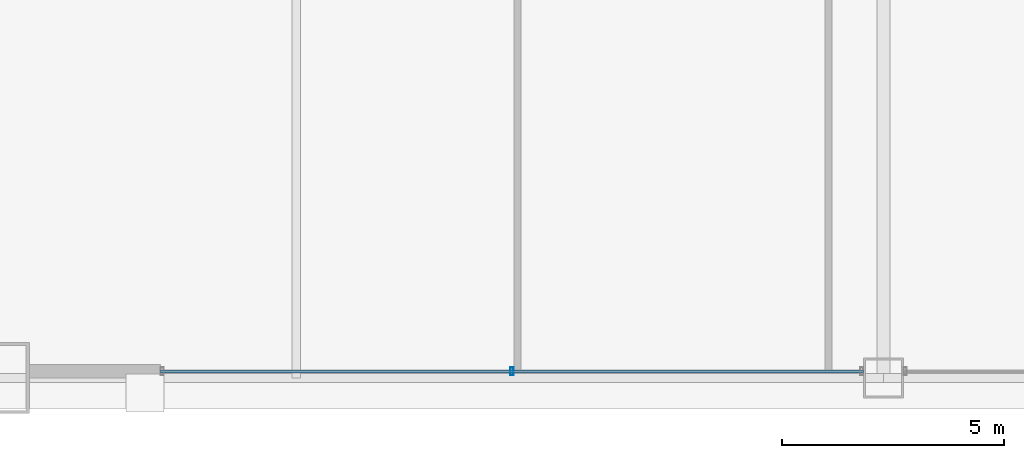
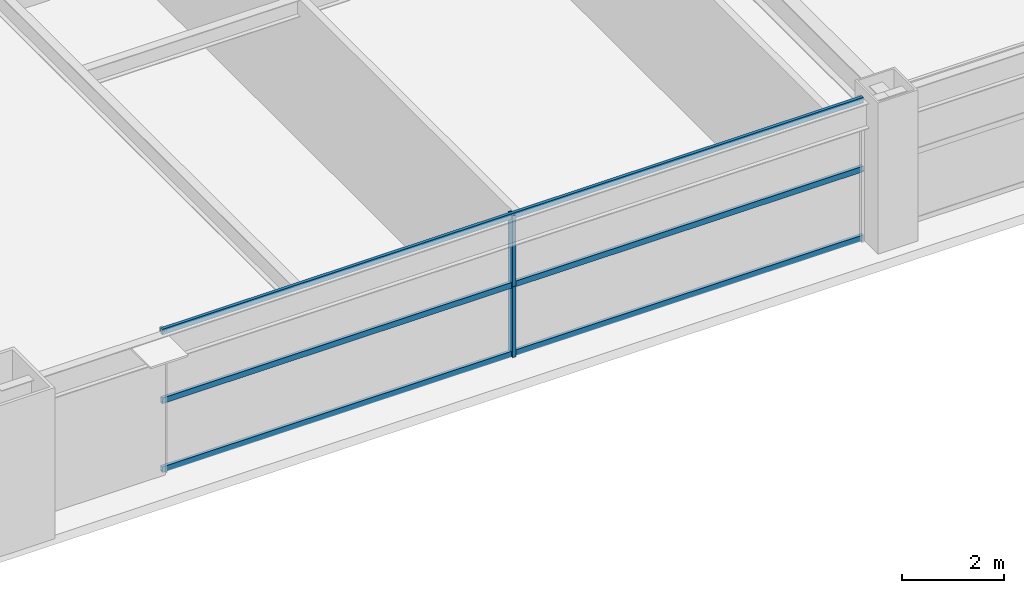
# One storey, part 5 of 38: 5 members, 1 element without a shape of its own.
"""IFC4 building model written with IfcOpenShell, lengths in metres."""

from ifc_helpers import new_model, si_unit, direction, frame, origin, origin_2d, place, context, subcontext, project, spatial, hollow_rectangle, extrude, source, transform, mapped, material, layer, layer_set, material_profile, profile_set, type_object, element, aggregate, save


model = new_model("IFC4")

# Units and contexts
model_context = context("Model", 3, precision=1e-05, world=origin(), true_north=direction((0.0, 1.0)))
body_context = subcontext(model_context, "Body", "Model", "MODEL_VIEW")
ifc_project = project(units=[si_unit("LENGTHUNIT", "METRE"), si_unit("AREAUNIT", "SQUARE_METRE"), si_unit("VOLUMEUNIT", "CUBIC_METRE"), si_unit("PLANEANGLEUNIT", "RADIAN"), si_unit("MASSUNIT", "GRAM", prefix="KILO"), si_unit("THERMODYNAMICTEMPERATUREUNIT", "KELVIN"), si_unit("POWERUNIT", "WATT")], contexts=[model_context])

# Site, building, storey
site_placement = place(None, origin())
site = spatial("IfcSite", under=ifc_project, at=site_placement, CompositionType="ELEMENT")
building_placement = place(site_placement, origin())
building = spatial("IfcBuilding", under=site, at=building_placement, Name="Yuzanri Waterfront Tower", CompositionType="ELEMENT")
storey_placement = place(building_placement, frame((0.0, 0.0, 119.0)))
storey = spatial("IfcBuildingStorey", under=building, at=storey_placement, Name="L31", CompositionType="ELEMENT", Elevation=119.0)

# Curtain wall, members
ifc_material_1 = material(Name="Anodized Architectural Bronze", Category="metal")
ifc_layer = layer(ifc_material_1, 0.159912109375)
ifc_layer_set = layer_set([ifc_layer], Name="Anodized Architectural Bronze")
curtain_wall_type = type_object("IfcCurtainWallType", Name="Anodized Bronze Hotel Upper-Tier Solar-Control Unitized Curtain Wall 7800", PredefinedType="NOTDEFINED", material=ifc_layer_set)
curtain_wall_placement = place(storey_placement, origin())
curtain_wall = element("IfcCurtainWall", 1, at=curtain_wall_placement, inside=storey, type_object=curtain_wall_type, Name="L31 Curtain Wall CW-L31-SL", PredefinedType="NOTDEFINED")
ifc_material_2 = material(Name="Anodized Architectural Bronze", Category="metal")
ifc_material_profile_1 = material_profile(ifc_material_2, hollow_rectangle(XDim=0.070068359375, YDim=0.179931640625, WallThickness=0.00390625, at=origin_2d()), Name="CWM 70x180")
ifc_profile_set_1 = profile_set([ifc_material_profile_1], Name="Anodized Architectural Bronze")
member_type_1 = type_object("IfcMemberType", Name="Anodized Bronze Standard Curtain-Wall Mullion 70x180", PredefinedType="MULLION", material=ifc_profile_set_1)
shared_shape_1 = source(origin(), body_context, "Body", "SweptSolid", [
    extrude(hollow_rectangle(XDim=0.070068359375, YDim=0.179931640625, WallThickness=0.00390625, at=origin_2d()), origin(), (0.0, 0.0, 1.0), 1.68798828125),
])
member_1_placement = place(storey_placement, frame((28.64990234375, 2.35009765625, 0.0), z_axis=(0.0, 0.0, 1.0), x_axis=(1.0, 0.0, 0.0)))
member_1 = element("IfcMember", 2, at=member_1_placement, type_object=member_type_1, Name="CW-L31-SL Lower Mullion 01", PredefinedType="MULLION", context=body_context, shape_type="MappedRepresentation", body=[
    mapped(shared_shape_1, transform((0.0, 0.0, 0.0), scale=1.0)),
])
member_2_placement = place(storey_placement, frame((28.64990234375, 2.35009765625, 1.69189453125), z_axis=(0.0, 0.0, 1.0), x_axis=(1.0, 0.0, 0.0)))
member_2 = element("IfcMember", 3, at=member_2_placement, type_object=member_type_1, Name="CW-L31-SL Upper Mullion 01", PredefinedType="MULLION", context=body_context, shape_type="MappedRepresentation", body=[
    mapped(shared_shape_1, transform((0.0, 0.0, 0.0), scale=1.0)),
])
ifc_material_3 = material(Name="Anodized Architectural Bronze", Category="metal")
ifc_material_profile_2 = material_profile(ifc_material_3, hollow_rectangle(XDim=0.070068359375, YDim=0.135009765625, WallThickness=0.00341796875, at=origin_2d()), Name="CWT 70x135")
ifc_profile_set_2 = profile_set([ifc_material_profile_2], Name="Anodized Architectural Bronze")
member_type_2 = type_object("IfcMemberType", Name="Anodized Bronze Standard Curtain-Wall Transom 70x135", PredefinedType="USERDEFINED", material=ifc_profile_set_2)
shared_shape_2 = source(origin(), body_context, "Body", "SweptSolid", [
    extrude(hollow_rectangle(XDim=0.070068359375, YDim=0.135009765625, WallThickness=0.00341796875, at=origin_2d()), origin(), (0.0, 0.0, 1.0), 15.800048828125),
])
member_3_placement = place(storey_placement, frame((20.75, 2.35009765625, 0.050048828125), z_axis=(1.0, 0.0, 0.0), x_axis=(0.0, 1.0, 0.0)))
member_3 = element("IfcMember", 4, at=member_3_placement, type_object=member_type_2, Name="CW-L31-SL Transom 1", ObjectType="TRANSOM", PredefinedType="USERDEFINED", context=body_context, shape_type="MappedRepresentation", body=[
    mapped(shared_shape_2, transform((0.0, 0.0, 0.0), scale=1.0)),
])
member_4_placement = place(storey_placement, frame((20.75, 2.35009765625, 1.68994140625), z_axis=(1.0, 0.0, 0.0), x_axis=(0.0, 1.0, 0.0)))
member_4 = element("IfcMember", 5, at=member_4_placement, type_object=member_type_2, Name="CW-L31-SL Transom 2", ObjectType="TRANSOM", PredefinedType="USERDEFINED", context=body_context, shape_type="MappedRepresentation", body=[
    mapped(shared_shape_2, transform((0.0, 0.0, 0.0), scale=1.0)),
])
member_5_placement = place(storey_placement, frame((20.75, 2.35009765625, 3.330078125), z_axis=(1.0, 0.0, 0.0), x_axis=(0.0, 1.0, 0.0)))
member_5 = element("IfcMember", 6, at=member_5_placement, type_object=member_type_2, Name="CW-L31-SL Transom 3", ObjectType="TRANSOM", PredefinedType="USERDEFINED", context=body_context, shape_type="MappedRepresentation", body=[
    mapped(shared_shape_2, transform((0.0, 0.0, 0.0), scale=1.0)),
])
aggregate(curtain_wall, [member_1, member_2, member_3, member_4, member_5])

save(model, "model.ifc")
